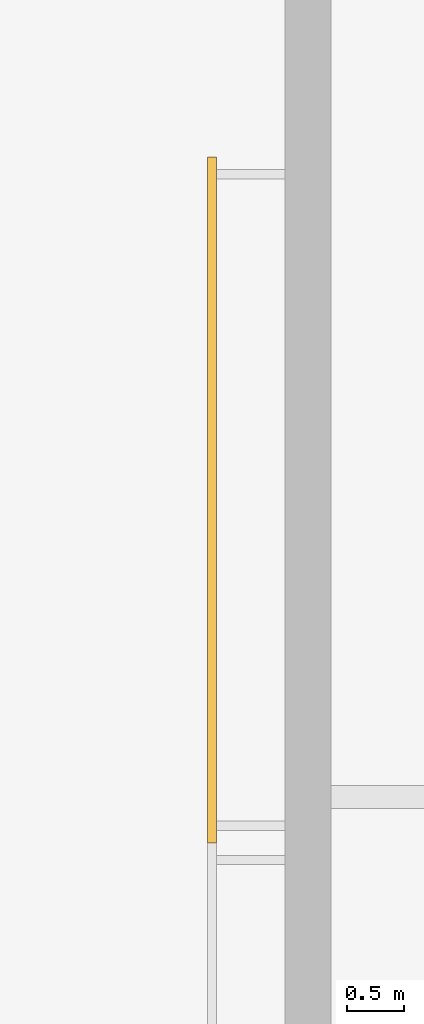
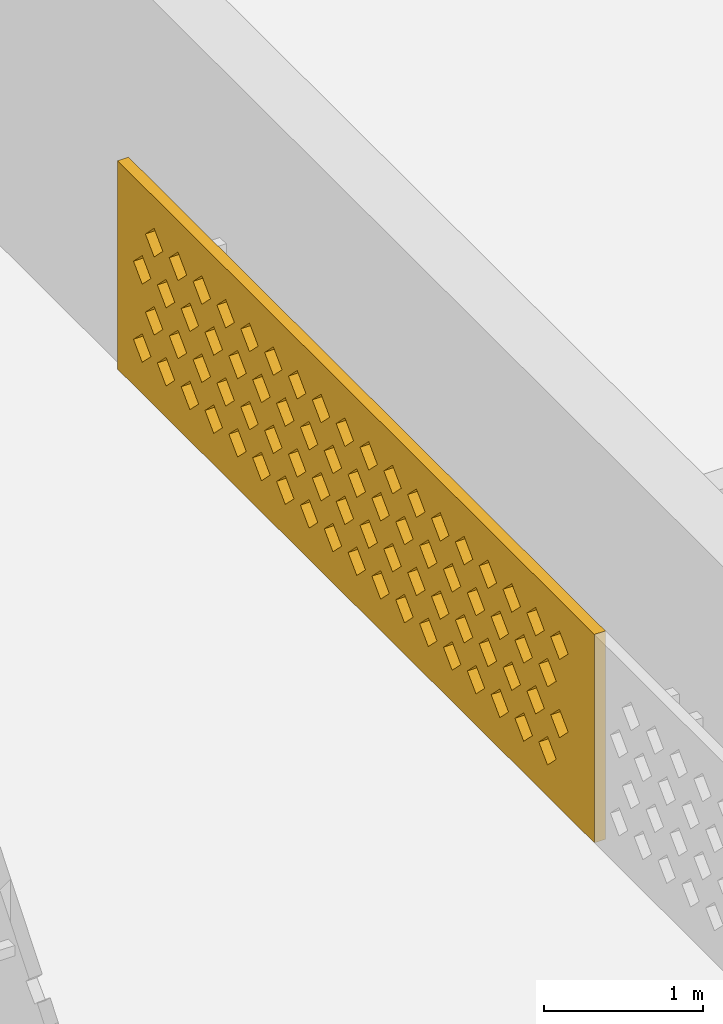
# One storey, part 16 of 18: 1 covering.
"""IFC4 building model written with IfcOpenShell, lengths in metres."""

import ifcopenshell
import ifcopenshell.guid

model = None  # the IFC model being written
_history = None  # IfcOwnerHistory: only IFC2X3 demands one
_inside = {}  # id of a spatial element -> (the spatial element, [elements in it])
_under = {}  # id of a project, library or spatial element -> (it, [spatial elements below it])
_declared = {}  # id of a project -> (the project, [libraries it declares])
_typed = {}  # id of a type object -> (the type object, [elements of that type])
_made_of = {}  # id of a material, layer set ... -> (it, [elements and type objects made of it])


def new_model(schema):
    """Start an empty IFC model of exactly this schema.

    Asked for "IFC4X3", IfcOpenShell would pick the latest addendum, in which some entities
    have other attributes; the version numbers below select the first issue.
    IFC2X3 requires an IfcOwnerHistory on every rooted entity: one is made here for all.
    """
    global model, _history
    if schema == "IFC4X3":
        model = ifcopenshell.file(schema_version=(4, 3, 0, 0))
    else:
        model = ifcopenshell.file(schema=schema)
    _inside.clear()
    _under.clear()
    _declared.clear()
    _typed.clear()
    _made_of.clear()
    _history = None
    if model.schema == "IFC2X3":
        org = make("IfcOrganization", Name="unknown")
        user = make(
            "IfcPersonAndOrganization",
            ThePerson=make("IfcPerson", FamilyName="unknown"),
            TheOrganization=org,
        )
        app = make(
            "IfcApplication",
            ApplicationDeveloper=org,
            Version="unknown",
            ApplicationFullName="unknown",
            ApplicationIdentifier="unknown",
        )
        _history = make(
            "IfcOwnerHistory",
            OwningUser=user,
            OwningApplication=app,
            ChangeAction="ADDED",
            CreationDate=0,
        )
    return model


def make(cls, **values):
    """One entity of the class cls with the attributes given. An attribute that is None is left unset."""
    return model.create_entity(
        cls, **{name: value for name, value in values.items() if value is not None}
    )


def rooted(cls, **values):
    """An entity with a GlobalId (a new one), such as an element, a storey or a relation."""
    return make(cls, GlobalId=ifcopenshell.guid.new(), OwnerHistory=_history, **values)


def si_unit(unit_type, name, prefix=None):
    """IfcSIUnit, for example si_unit("LENGTHUNIT", "METRE", prefix="MILLI")."""
    return make("IfcSIUnit", UnitType=unit_type, Prefix=prefix, Name=name)


def assignment(units):
    """IfcUnitAssignment: the units of a project."""
    return None if units is None else make("IfcUnitAssignment", Units=units)


def point(xyz):
    """IfcCartesianPoint."""
    return None if xyz is None else make("IfcCartesianPoint", Coordinates=xyz)


def direction(xyz):
    """IfcDirection."""
    return None if xyz is None else make("IfcDirection", DirectionRatios=xyz)


def frame(location, z_axis=None, x_axis=None):
    """IfcAxis2Placement3D, a coordinate frame: its origin and axes. An axis left out is left unset."""
    return make(
        "IfcAxis2Placement3D",
        Location=point(location),
        Axis=direction(z_axis),
        RefDirection=direction(x_axis),
    )


def origin():
    """The frame at (0, 0, 0) with its axes left unset."""
    return frame((0.0, 0.0, 0.0))


def place(relative_to, where):
    """IfcLocalPlacement: puts the frame where relative to a parent placement (None: the world)."""
    return make(
        "IfcLocalPlacement", PlacementRelTo=relative_to, RelativePlacement=where
    )


def context(
    kind, dimensions, precision=None, world=None, true_north=None, identifier=None
):
    """IfcGeometricRepresentationContext, for example the 3D "Model" context."""
    return make(
        "IfcGeometricRepresentationContext",
        ContextIdentifier=identifier,
        ContextType=kind,
        CoordinateSpaceDimension=dimensions,
        Precision=precision,
        WorldCoordinateSystem=world,
        TrueNorth=true_north,
    )


def subcontext(parent, identifier, kind, view, scale=None):
    """IfcGeometricRepresentationSubContext, for example "Body" below "Model"."""
    return make(
        "IfcGeometricRepresentationSubContext",
        ContextIdentifier=identifier,
        ContextType=kind,
        ParentContext=parent,
        TargetScale=scale,
        TargetView=view,
    )


def project(units=None, contexts=None):
    """IfcProject with its units and contexts."""
    return rooted(
        "IfcProject",
        Name="project",
        RepresentationContexts=contexts,
        UnitsInContext=assignment(units),
    )


def spatial(cls, under=None, at=None, **own):
    """A site, building, storey or space (cls), placed at a placement, below another one or the project."""
    s = rooted(cls, ObjectPlacement=at, **own)
    if under is not None:
        _under.setdefault(under.id(), (under, []))[1].append(s)
    return s


def polyline(points):
    """IfcPolyline through the points."""
    return make("IfcPolyline", Points=[point(p) for p in points])


def outline(outer, holes=None, kind="AREA"):
    """IfcArbitraryClosedProfileDef: a profile drawn as a closed curve; with holes, ...WithVoids."""
    if holes is None:
        return make("IfcArbitraryClosedProfileDef", ProfileType=kind, OuterCurve=outer)
    return make(
        "IfcArbitraryProfileDefWithVoids",
        ProfileType=kind,
        OuterCurve=outer,
        InnerCurves=holes,
    )


def extrude(swept, where, along, depth):
    """IfcExtrudedAreaSolid: the profile swept, set in the frame where, extruded along a direction by depth."""
    return make(
        "IfcExtrudedAreaSolid",
        SweptArea=swept,
        Position=where,
        ExtrudedDirection=direction(along),
        Depth=depth,
    )


def shape(context_of_items, identifier, shape_type, items):
    """IfcShapeRepresentation: the items that make up one representation, for example the "Body"."""
    return make(
        "IfcShapeRepresentation",
        ContextOfItems=context_of_items,
        RepresentationIdentifier=identifier,
        RepresentationType=shape_type,
        Items=items,
    )


def source(mapping_origin, context_of_items, identifier, shape_type, items):
    """IfcRepresentationMap: a shape defined once, which mapped items show again and again."""
    return make(
        "IfcRepresentationMap",
        MappingOrigin=mapping_origin,
        MappedRepresentation=shape(context_of_items, identifier, shape_type, items),
    )


def transform(
    local_origin,
    x_axis=None,
    y_axis=None,
    z_axis=None,
    scale=None,
    scale2=None,
    scale3=None,
    uniform=True,
):
    """IfcCartesianTransformationOperator3D, or its non-uniform kind. x_axis, y_axis, z_axis: its Axis1, 2, 3."""
    if uniform:
        return make(
            "IfcCartesianTransformationOperator3D",
            Axis1=direction(x_axis),
            Axis2=direction(y_axis),
            LocalOrigin=point(local_origin),
            Scale=scale,
            Axis3=direction(z_axis),
        )
    return make(
        "IfcCartesianTransformationOperator3DnonUniform",
        Axis1=direction(x_axis),
        Axis2=direction(y_axis),
        LocalOrigin=point(local_origin),
        Scale=scale,
        Axis3=direction(z_axis),
        Scale2=scale2,
        Scale3=scale3,
    )


def mapped(mapping_source, mapping_target):
    """IfcMappedItem: shows the shape of a source again, moved by a transform."""
    return make(
        "IfcMappedItem", MappingSource=mapping_source, MappingTarget=mapping_target
    )


def material(Name=None, Category=None):
    """IfcMaterial."""
    return make("IfcMaterial", Name=Name, Category=Category)


def material_profile(
    of_material, cross_section, Name=None, Category=None, Priority=None
):
    """IfcMaterialProfile: a cross section and its material."""
    return make(
        "IfcMaterialProfile",
        Name=Name,
        Material=of_material,
        Profile=cross_section,
        Priority=Priority,
        Category=Category,
    )


def profile_set(profiles, Name=None, composite=None):
    """IfcMaterialProfileSet."""
    return make(
        "IfcMaterialProfileSet",
        Name=Name,
        MaterialProfiles=profiles,
        CompositeProfile=composite,
    )


def made_of(thing, what):
    """Note that an element or type object is made of a material, layer set ...; save() writes the relation."""
    if what is not None:
        _made_of.setdefault(what.id(), (what, []))[1].append(thing)
    return thing


def type_object(cls, material=None, **own):
    """A type object (cls), such as IfcWallType, which elements share."""
    return made_of(rooted(cls, **own), material)


def element(
    cls,
    number,
    at=None,
    inside=None,
    cuts=None,
    type_object=None,
    material=None,
    context=None,
    identifier="Body",
    shape_type=None,
    held_by="IfcProductDefinitionShape",
    body=None,
    shapes=None,
    **own,
):
    """One element of the class cls, such as IfcWall. Its Tag is "e" and its number.

    at: its placement. inside: the storey or other place that contains it. cuts: it is an
    opening in that element (IfcRelVoidsElement). A single representation is given by context,
    identifier, shape_type and body (its items); several are given by shapes. held_by: the class
    of the entity that holds the representations. save() writes the other relations.
    """
    e = rooted(cls, Tag="e%d" % number, ObjectPlacement=at, **own)
    if body is not None:
        shapes = [shape(context, identifier, shape_type, body)]
    if shapes is not None:
        e.Representation = make(held_by, Representations=shapes)
    if inside is not None:
        _inside.setdefault(inside.id(), (inside, []))[1].append(e)
    if cuts is not None:
        rooted(
            "IfcRelVoidsElement", RelatingBuildingElement=cuts, RelatedOpeningElement=e
        )
    if type_object is not None:
        _typed.setdefault(type_object.id(), (type_object, []))[1].append(e)
    return made_of(e, material)


def aggregate(whole, parts):
    """IfcRelAggregates: a whole, such as a stair, and the parts it consists of."""
    return rooted("IfcRelAggregates", RelatingObject=whole, RelatedObjects=parts)


def save(model, path):
    """Write the relations noted so far, then the file.

    IfcRelAggregates (storeys below a building ...), IfcRelContainedInSpatialStructure (elements
    in a storey), IfcRelDefinesByType, IfcRelAssociatesMaterial and IfcRelDeclares: one each for
    every whole, place, type object, material and project.
    """
    for whole, parts in _under.values():
        aggregate(whole, parts)
    for where, things in _inside.values():
        rooted(
            "IfcRelContainedInSpatialStructure",
            RelatedElements=things,
            RelatingStructure=where,
        )
    for kind, things in _typed.values():
        rooted("IfcRelDefinesByType", RelatedObjects=things, RelatingType=kind)
    for what, things in _made_of.values():
        rooted("IfcRelAssociatesMaterial", RelatedObjects=things, RelatingMaterial=what)
    for by, libraries in _declared.values():
        rooted("IfcRelDeclares", RelatingContext=by, RelatedDefinitions=libraries)
    model.write(path)


model = new_model("IFC4")

# Units and contexts
model_context = context("Model", 3, precision=1e-05, world=origin(), true_north=direction((0.0, 1.0)))
body_context = subcontext(model_context, "Body", "Model", "MODEL_VIEW")
ifc_project = project(units=[si_unit("LENGTHUNIT", "METRE"), si_unit("AREAUNIT", "SQUARE_METRE"), si_unit("VOLUMEUNIT", "CUBIC_METRE"), si_unit("PLANEANGLEUNIT", "RADIAN"), si_unit("MASSUNIT", "GRAM", prefix="KILO")], contexts=[model_context])

# Site, building, storey
site_placement = place(None, origin())
site = spatial("IfcSite", under=ifc_project, at=site_placement, CompositionType="ELEMENT")
building_placement = place(site_placement, origin())
building = spatial("IfcBuilding", under=site, at=building_placement, Name="Poui Terraces", CompositionType="ELEMENT")
storey_placement = place(building_placement, frame((0.0, 0.0, 272.39990234375)))
storey = spatial("IfcBuildingStorey", under=building, at=storey_placement, Name="L75 CROWN", CompositionType="ELEMENT", Elevation=272.39990234375)

# Covering
ifc_material = material(Name="Terracotta screen", Category="masonry")
ifc_material_profile = material_profile(ifc_material, outline(polyline([(-3.0, -0.800048828125), (3.0, -0.800048828125), (3.0, 0.800048828125), (-3.0, 0.800048828125), (-3.0, -0.800048828125)]), holes=[polyline([(-2.800048828125, -0.449951171875), (-2.68994140625, -0.56005859375), (-2.580078125, -0.449951171875), (-2.68994140625, -0.340087890625), (-2.800048828125, -0.449951171875)]), polyline([(-2.5, -0.449951171875), (-2.389892578125, -0.56005859375), (-2.280029296875, -0.449951171875), (-2.389892578125, -0.340087890625), (-2.5, -0.449951171875)]), polyline([(-2.199951171875, -0.449951171875), (-2.090087890625, -0.56005859375), (-1.97998046875, -0.449951171875), (-2.090087890625, -0.340087890625), (-2.199951171875, -0.449951171875)]), polyline([(-1.89990234375, -0.449951171875), (-1.7900390625, -0.56005859375), (-1.679931640625, -0.449951171875), (-1.7900390625, -0.340087890625), (-1.89990234375, -0.449951171875)]), polyline([(-1.60009765625, -0.449951171875), (-1.489990234375, -0.56005859375), (-1.3798828125, -0.449951171875), (-1.489990234375, -0.340087890625), (-1.60009765625, -0.449951171875)]), polyline([(-1.300048828125, -0.449951171875), (-1.18994140625, -0.56005859375), (-1.080078125, -0.449951171875), (-1.18994140625, -0.340087890625), (-1.300048828125, -0.449951171875)]), polyline([(-1.0, -0.449951171875), (-0.889892578125, -0.56005859375), (-0.780029296875, -0.449951171875), (-0.889892578125, -0.340087890625), (-1.0, -0.449951171875)]), polyline([(-0.699951171875, -0.449951171875), (-0.590087890625, -0.56005859375), (-0.47998046875, -0.449951171875), (-0.590087890625, -0.340087890625), (-0.699951171875, -0.449951171875)]), polyline([(-0.39990234375, -0.449951171875), (-0.2900390625, -0.56005859375), (-0.179931640625, -0.449951171875), (-0.2900390625, -0.340087890625), (-0.39990234375, -0.449951171875)]), polyline([(-0.10009765625, -0.449951171875), (0.010009765625, -0.56005859375), (0.1201171875, -0.449951171875), (0.010009765625, -0.340087890625), (-0.10009765625, -0.449951171875)]), polyline([(0.199951171875, -0.449951171875), (0.31005859375, -0.56005859375), (0.419921875, -0.449951171875), (0.31005859375, -0.340087890625), (0.199951171875, -0.449951171875)]), polyline([(0.5, -0.449951171875), (0.610107421875, -0.56005859375), (0.719970703125, -0.449951171875), (0.610107421875, -0.340087890625), (0.5, -0.449951171875)]), polyline([(0.800048828125, -0.449951171875), (0.909912109375, -0.56005859375), (1.02001953125, -0.449951171875), (0.909912109375, -0.340087890625), (0.800048828125, -0.449951171875)]), polyline([(1.10009765625, -0.449951171875), (1.2099609375, -0.56005859375), (1.320068359375, -0.449951171875), (1.2099609375, -0.340087890625), (1.10009765625, -0.449951171875)]), polyline([(1.39990234375, -0.449951171875), (1.510009765625, -0.56005859375), (1.6201171875, -0.449951171875), (1.510009765625, -0.340087890625), (1.39990234375, -0.449951171875)]), polyline([(1.699951171875, -0.449951171875), (1.81005859375, -0.56005859375), (1.919921875, -0.449951171875), (1.81005859375, -0.340087890625), (1.699951171875, -0.449951171875)]), polyline([(2.0, -0.449951171875), (2.110107421875, -0.56005859375), (2.219970703125, -0.449951171875), (2.110107421875, -0.340087890625), (2.0, -0.449951171875)]), polyline([(2.300048828125, -0.449951171875), (2.409912109375, -0.56005859375), (2.52001953125, -0.449951171875), (2.409912109375, -0.340087890625), (2.300048828125, -0.449951171875)]), polyline([(-2.64990234375, -0.14990234375), (-2.5400390625, -0.260009765625), (-2.429931640625, -0.14990234375), (-2.5400390625, -0.0400390625), (-2.64990234375, -0.14990234375)]), polyline([(-2.35009765625, -0.14990234375), (-2.239990234375, -0.260009765625), (-2.1298828125, -0.14990234375), (-2.239990234375, -0.0400390625), (-2.35009765625, -0.14990234375)]), polyline([(-2.050048828125, -0.14990234375), (-1.93994140625, -0.260009765625), (-1.830078125, -0.14990234375), (-1.93994140625, -0.0400390625), (-2.050048828125, -0.14990234375)]), polyline([(-1.75, -0.14990234375), (-1.639892578125, -0.260009765625), (-1.530029296875, -0.14990234375), (-1.639892578125, -0.0400390625), (-1.75, -0.14990234375)]), polyline([(-1.449951171875, -0.14990234375), (-1.340087890625, -0.260009765625), (-1.22998046875, -0.14990234375), (-1.340087890625, -0.0400390625), (-1.449951171875, -0.14990234375)]), polyline([(-1.14990234375, -0.14990234375), (-1.0400390625, -0.260009765625), (-0.929931640625, -0.14990234375), (-1.0400390625, -0.0400390625), (-1.14990234375, -0.14990234375)]), polyline([(-0.85009765625, -0.14990234375), (-0.739990234375, -0.260009765625), (-0.6298828125, -0.14990234375), (-0.739990234375, -0.0400390625), (-0.85009765625, -0.14990234375)]), polyline([(-0.550048828125, -0.14990234375), (-0.43994140625, -0.260009765625), (-0.330078125, -0.14990234375), (-0.43994140625, -0.0400390625), (-0.550048828125, -0.14990234375)]), polyline([(-0.25, -0.14990234375), (-0.139892578125, -0.260009765625), (-0.030029296875, -0.14990234375), (-0.139892578125, -0.0400390625), (-0.25, -0.14990234375)]), polyline([(0.050048828125, -0.14990234375), (0.159912109375, -0.260009765625), (0.27001953125, -0.14990234375), (0.159912109375, -0.0400390625), (0.050048828125, -0.14990234375)]), polyline([(0.35009765625, -0.14990234375), (0.4599609375, -0.260009765625), (0.570068359375, -0.14990234375), (0.4599609375, -0.0400390625), (0.35009765625, -0.14990234375)]), polyline([(0.64990234375, -0.14990234375), (0.760009765625, -0.260009765625), (0.8701171875, -0.14990234375), (0.760009765625, -0.0400390625), (0.64990234375, -0.14990234375)]), polyline([(0.949951171875, -0.14990234375), (1.06005859375, -0.260009765625), (1.169921875, -0.14990234375), (1.06005859375, -0.0400390625), (0.949951171875, -0.14990234375)]), polyline([(1.25, -0.14990234375), (1.360107421875, -0.260009765625), (1.469970703125, -0.14990234375), (1.360107421875, -0.0400390625), (1.25, -0.14990234375)]), polyline([(1.550048828125, -0.14990234375), (1.659912109375, -0.260009765625), (1.77001953125, -0.14990234375), (1.659912109375, -0.0400390625), (1.550048828125, -0.14990234375)]), polyline([(1.85009765625, -0.14990234375), (1.9599609375, -0.260009765625), (2.070068359375, -0.14990234375), (1.9599609375, -0.0400390625), (1.85009765625, -0.14990234375)]), polyline([(2.14990234375, -0.14990234375), (2.260009765625, -0.260009765625), (2.3701171875, -0.14990234375), (2.260009765625, -0.0400390625), (2.14990234375, -0.14990234375)]), polyline([(2.449951171875, -0.14990234375), (2.56005859375, -0.260009765625), (2.669921875, -0.14990234375), (2.56005859375, -0.0400390625), (2.449951171875, -0.14990234375)]), polyline([(-2.800048828125, 0.14990234375), (-2.68994140625, 0.0400390625), (-2.580078125, 0.14990234375), (-2.68994140625, 0.260009765625), (-2.800048828125, 0.14990234375)]), polyline([(-2.5, 0.14990234375), (-2.389892578125, 0.0400390625), (-2.280029296875, 0.14990234375), (-2.389892578125, 0.260009765625), (-2.5, 0.14990234375)]), polyline([(-2.199951171875, 0.14990234375), (-2.090087890625, 0.0400390625), (-1.97998046875, 0.14990234375), (-2.090087890625, 0.260009765625), (-2.199951171875, 0.14990234375)]), polyline([(-1.89990234375, 0.14990234375), (-1.7900390625, 0.0400390625), (-1.679931640625, 0.14990234375), (-1.7900390625, 0.260009765625), (-1.89990234375, 0.14990234375)]), polyline([(-1.60009765625, 0.14990234375), (-1.489990234375, 0.0400390625), (-1.3798828125, 0.14990234375), (-1.489990234375, 0.260009765625), (-1.60009765625, 0.14990234375)]), polyline([(-1.300048828125, 0.14990234375), (-1.18994140625, 0.0400390625), (-1.080078125, 0.14990234375), (-1.18994140625, 0.260009765625), (-1.300048828125, 0.14990234375)]), polyline([(-1.0, 0.14990234375), (-0.889892578125, 0.0400390625), (-0.780029296875, 0.14990234375), (-0.889892578125, 0.260009765625), (-1.0, 0.14990234375)]), polyline([(-0.699951171875, 0.14990234375), (-0.590087890625, 0.0400390625), (-0.47998046875, 0.14990234375), (-0.590087890625, 0.260009765625), (-0.699951171875, 0.14990234375)]), polyline([(-0.39990234375, 0.14990234375), (-0.2900390625, 0.0400390625), (-0.179931640625, 0.14990234375), (-0.2900390625, 0.260009765625), (-0.39990234375, 0.14990234375)]), polyline([(-0.10009765625, 0.14990234375), (0.010009765625, 0.0400390625), (0.1201171875, 0.14990234375), (0.010009765625, 0.260009765625), (-0.10009765625, 0.14990234375)]), polyline([(0.199951171875, 0.14990234375), (0.31005859375, 0.0400390625), (0.419921875, 0.14990234375), (0.31005859375, 0.260009765625), (0.199951171875, 0.14990234375)]), polyline([(0.5, 0.14990234375), (0.610107421875, 0.0400390625), (0.719970703125, 0.14990234375), (0.610107421875, 0.260009765625), (0.5, 0.14990234375)]), polyline([(0.800048828125, 0.14990234375), (0.909912109375, 0.0400390625), (1.02001953125, 0.14990234375), (0.909912109375, 0.260009765625), (0.800048828125, 0.14990234375)]), polyline([(1.10009765625, 0.14990234375), (1.2099609375, 0.0400390625), (1.320068359375, 0.14990234375), (1.2099609375, 0.260009765625), (1.10009765625, 0.14990234375)]), polyline([(1.39990234375, 0.14990234375), (1.510009765625, 0.0400390625), (1.6201171875, 0.14990234375), (1.510009765625, 0.260009765625), (1.39990234375, 0.14990234375)]), polyline([(1.699951171875, 0.14990234375), (1.81005859375, 0.0400390625), (1.919921875, 0.14990234375), (1.81005859375, 0.260009765625), (1.699951171875, 0.14990234375)]), polyline([(2.0, 0.14990234375), (2.110107421875, 0.0400390625), (2.219970703125, 0.14990234375), (2.110107421875, 0.260009765625), (2.0, 0.14990234375)]), polyline([(2.300048828125, 0.14990234375), (2.409912109375, 0.0400390625), (2.52001953125, 0.14990234375), (2.409912109375, 0.260009765625), (2.300048828125, 0.14990234375)]), polyline([(-2.64990234375, 0.449951171875), (-2.5400390625, 0.340087890625), (-2.429931640625, 0.449951171875), (-2.5400390625, 0.56005859375), (-2.64990234375, 0.449951171875)]), polyline([(-2.35009765625, 0.449951171875), (-2.239990234375, 0.340087890625), (-2.1298828125, 0.449951171875), (-2.239990234375, 0.56005859375), (-2.35009765625, 0.449951171875)]), polyline([(-2.050048828125, 0.449951171875), (-1.93994140625, 0.340087890625), (-1.830078125, 0.449951171875), (-1.93994140625, 0.56005859375), (-2.050048828125, 0.449951171875)]), polyline([(-1.75, 0.449951171875), (-1.639892578125, 0.340087890625), (-1.530029296875, 0.449951171875), (-1.639892578125, 0.56005859375), (-1.75, 0.449951171875)]), polyline([(-1.449951171875, 0.449951171875), (-1.340087890625, 0.340087890625), (-1.22998046875, 0.449951171875), (-1.340087890625, 0.56005859375), (-1.449951171875, 0.449951171875)]), polyline([(-1.14990234375, 0.449951171875), (-1.0400390625, 0.340087890625), (-0.929931640625, 0.449951171875), (-1.0400390625, 0.56005859375), (-1.14990234375, 0.449951171875)]), polyline([(-0.85009765625, 0.449951171875), (-0.739990234375, 0.340087890625), (-0.6298828125, 0.449951171875), (-0.739990234375, 0.56005859375), (-0.85009765625, 0.449951171875)]), polyline([(-0.550048828125, 0.449951171875), (-0.43994140625, 0.340087890625), (-0.330078125, 0.449951171875), (-0.43994140625, 0.56005859375), (-0.550048828125, 0.449951171875)]), polyline([(-0.25, 0.449951171875), (-0.139892578125, 0.340087890625), (-0.030029296875, 0.449951171875), (-0.139892578125, 0.56005859375), (-0.25, 0.449951171875)]), polyline([(0.050048828125, 0.449951171875), (0.159912109375, 0.340087890625), (0.27001953125, 0.449951171875), (0.159912109375, 0.56005859375), (0.050048828125, 0.449951171875)]), polyline([(0.35009765625, 0.449951171875), (0.4599609375, 0.340087890625), (0.570068359375, 0.449951171875), (0.4599609375, 0.56005859375), (0.35009765625, 0.449951171875)]), polyline([(0.64990234375, 0.449951171875), (0.760009765625, 0.340087890625), (0.8701171875, 0.449951171875), (0.760009765625, 0.56005859375), (0.64990234375, 0.449951171875)]), polyline([(0.949951171875, 0.449951171875), (1.06005859375, 0.340087890625), (1.169921875, 0.449951171875), (1.06005859375, 0.56005859375), (0.949951171875, 0.449951171875)]), polyline([(1.25, 0.449951171875), (1.360107421875, 0.340087890625), (1.469970703125, 0.449951171875), (1.360107421875, 0.56005859375), (1.25, 0.449951171875)]), polyline([(1.550048828125, 0.449951171875), (1.659912109375, 0.340087890625), (1.77001953125, 0.449951171875), (1.659912109375, 0.56005859375), (1.550048828125, 0.449951171875)]), polyline([(1.85009765625, 0.449951171875), (1.9599609375, 0.340087890625), (2.070068359375, 0.449951171875), (1.9599609375, 0.56005859375), (1.85009765625, 0.449951171875)]), polyline([(2.14990234375, 0.449951171875), (2.260009765625, 0.340087890625), (2.3701171875, 0.449951171875), (2.260009765625, 0.56005859375), (2.14990234375, 0.449951171875)]), polyline([(2.449951171875, 0.449951171875), (2.56005859375, 0.340087890625), (2.669921875, 0.449951171875), (2.56005859375, 0.56005859375), (2.449951171875, 0.449951171875)])]), Name="TERRACOTTA SOLAR SCREEN 6000X1600")
ifc_profile_set = profile_set([ifc_material_profile], Name="Terracotta screen")
covering_type = type_object("IfcCoveringType", Name="TERRACOTTA SOLAR SCREEN 6000X1600", PredefinedType="CLADDING", material=ifc_profile_set)
shared_shape = source(origin(), body_context, "Body", "SweptSolid", [
    extrude(outline(polyline([(-3.0, -0.800048828125), (3.0, -0.800048828125), (3.0, 0.800048828125), (-3.0, 0.800048828125), (-3.0, -0.800048828125)]), holes=[polyline([(-2.800048828125, -0.449951171875), (-2.68994140625, -0.56005859375), (-2.580078125, -0.449951171875), (-2.68994140625, -0.340087890625), (-2.800048828125, -0.449951171875)]), polyline([(-2.5, -0.449951171875), (-2.389892578125, -0.56005859375), (-2.280029296875, -0.449951171875), (-2.389892578125, -0.340087890625), (-2.5, -0.449951171875)]), polyline([(-2.199951171875, -0.449951171875), (-2.090087890625, -0.56005859375), (-1.97998046875, -0.449951171875), (-2.090087890625, -0.340087890625), (-2.199951171875, -0.449951171875)]), polyline([(-1.89990234375, -0.449951171875), (-1.7900390625, -0.56005859375), (-1.679931640625, -0.449951171875), (-1.7900390625, -0.340087890625), (-1.89990234375, -0.449951171875)]), polyline([(-1.60009765625, -0.449951171875), (-1.489990234375, -0.56005859375), (-1.3798828125, -0.449951171875), (-1.489990234375, -0.340087890625), (-1.60009765625, -0.449951171875)]), polyline([(-1.300048828125, -0.449951171875), (-1.18994140625, -0.56005859375), (-1.080078125, -0.449951171875), (-1.18994140625, -0.340087890625), (-1.300048828125, -0.449951171875)]), polyline([(-1.0, -0.449951171875), (-0.889892578125, -0.56005859375), (-0.780029296875, -0.449951171875), (-0.889892578125, -0.340087890625), (-1.0, -0.449951171875)]), polyline([(-0.699951171875, -0.449951171875), (-0.590087890625, -0.56005859375), (-0.47998046875, -0.449951171875), (-0.590087890625, -0.340087890625), (-0.699951171875, -0.449951171875)]), polyline([(-0.39990234375, -0.449951171875), (-0.2900390625, -0.56005859375), (-0.179931640625, -0.449951171875), (-0.2900390625, -0.340087890625), (-0.39990234375, -0.449951171875)]), polyline([(-0.10009765625, -0.449951171875), (0.010009765625, -0.56005859375), (0.1201171875, -0.449951171875), (0.010009765625, -0.340087890625), (-0.10009765625, -0.449951171875)]), polyline([(0.199951171875, -0.449951171875), (0.31005859375, -0.56005859375), (0.419921875, -0.449951171875), (0.31005859375, -0.340087890625), (0.199951171875, -0.449951171875)]), polyline([(0.5, -0.449951171875), (0.610107421875, -0.56005859375), (0.719970703125, -0.449951171875), (0.610107421875, -0.340087890625), (0.5, -0.449951171875)]), polyline([(0.800048828125, -0.449951171875), (0.909912109375, -0.56005859375), (1.02001953125, -0.449951171875), (0.909912109375, -0.340087890625), (0.800048828125, -0.449951171875)]), polyline([(1.10009765625, -0.449951171875), (1.2099609375, -0.56005859375), (1.320068359375, -0.449951171875), (1.2099609375, -0.340087890625), (1.10009765625, -0.449951171875)]), polyline([(1.39990234375, -0.449951171875), (1.510009765625, -0.56005859375), (1.6201171875, -0.449951171875), (1.510009765625, -0.340087890625), (1.39990234375, -0.449951171875)]), polyline([(1.699951171875, -0.449951171875), (1.81005859375, -0.56005859375), (1.919921875, -0.449951171875), (1.81005859375, -0.340087890625), (1.699951171875, -0.449951171875)]), polyline([(2.0, -0.449951171875), (2.110107421875, -0.56005859375), (2.219970703125, -0.449951171875), (2.110107421875, -0.340087890625), (2.0, -0.449951171875)]), polyline([(2.300048828125, -0.449951171875), (2.409912109375, -0.56005859375), (2.52001953125, -0.449951171875), (2.409912109375, -0.340087890625), (2.300048828125, -0.449951171875)]), polyline([(-2.64990234375, -0.14990234375), (-2.5400390625, -0.260009765625), (-2.429931640625, -0.14990234375), (-2.5400390625, -0.0400390625), (-2.64990234375, -0.14990234375)]), polyline([(-2.35009765625, -0.14990234375), (-2.239990234375, -0.260009765625), (-2.1298828125, -0.14990234375), (-2.239990234375, -0.0400390625), (-2.35009765625, -0.14990234375)]), polyline([(-2.050048828125, -0.14990234375), (-1.93994140625, -0.260009765625), (-1.830078125, -0.14990234375), (-1.93994140625, -0.0400390625), (-2.050048828125, -0.14990234375)]), polyline([(-1.75, -0.14990234375), (-1.639892578125, -0.260009765625), (-1.530029296875, -0.14990234375), (-1.639892578125, -0.0400390625), (-1.75, -0.14990234375)]), polyline([(-1.449951171875, -0.14990234375), (-1.340087890625, -0.260009765625), (-1.22998046875, -0.14990234375), (-1.340087890625, -0.0400390625), (-1.449951171875, -0.14990234375)]), polyline([(-1.14990234375, -0.14990234375), (-1.0400390625, -0.260009765625), (-0.929931640625, -0.14990234375), (-1.0400390625, -0.0400390625), (-1.14990234375, -0.14990234375)]), polyline([(-0.85009765625, -0.14990234375), (-0.739990234375, -0.260009765625), (-0.6298828125, -0.14990234375), (-0.739990234375, -0.0400390625), (-0.85009765625, -0.14990234375)]), polyline([(-0.550048828125, -0.14990234375), (-0.43994140625, -0.260009765625), (-0.330078125, -0.14990234375), (-0.43994140625, -0.0400390625), (-0.550048828125, -0.14990234375)]), polyline([(-0.25, -0.14990234375), (-0.139892578125, -0.260009765625), (-0.030029296875, -0.14990234375), (-0.139892578125, -0.0400390625), (-0.25, -0.14990234375)]), polyline([(0.050048828125, -0.14990234375), (0.159912109375, -0.260009765625), (0.27001953125, -0.14990234375), (0.159912109375, -0.0400390625), (0.050048828125, -0.14990234375)]), polyline([(0.35009765625, -0.14990234375), (0.4599609375, -0.260009765625), (0.570068359375, -0.14990234375), (0.4599609375, -0.0400390625), (0.35009765625, -0.14990234375)]), polyline([(0.64990234375, -0.14990234375), (0.760009765625, -0.260009765625), (0.8701171875, -0.14990234375), (0.760009765625, -0.0400390625), (0.64990234375, -0.14990234375)]), polyline([(0.949951171875, -0.14990234375), (1.06005859375, -0.260009765625), (1.169921875, -0.14990234375), (1.06005859375, -0.0400390625), (0.949951171875, -0.14990234375)]), polyline([(1.25, -0.14990234375), (1.360107421875, -0.260009765625), (1.469970703125, -0.14990234375), (1.360107421875, -0.0400390625), (1.25, -0.14990234375)]), polyline([(1.550048828125, -0.14990234375), (1.659912109375, -0.260009765625), (1.77001953125, -0.14990234375), (1.659912109375, -0.0400390625), (1.550048828125, -0.14990234375)]), polyline([(1.85009765625, -0.14990234375), (1.9599609375, -0.260009765625), (2.070068359375, -0.14990234375), (1.9599609375, -0.0400390625), (1.85009765625, -0.14990234375)]), polyline([(2.14990234375, -0.14990234375), (2.260009765625, -0.260009765625), (2.3701171875, -0.14990234375), (2.260009765625, -0.0400390625), (2.14990234375, -0.14990234375)]), polyline([(2.449951171875, -0.14990234375), (2.56005859375, -0.260009765625), (2.669921875, -0.14990234375), (2.56005859375, -0.0400390625), (2.449951171875, -0.14990234375)]), polyline([(-2.800048828125, 0.14990234375), (-2.68994140625, 0.0400390625), (-2.580078125, 0.14990234375), (-2.68994140625, 0.260009765625), (-2.800048828125, 0.14990234375)]), polyline([(-2.5, 0.14990234375), (-2.389892578125, 0.0400390625), (-2.280029296875, 0.14990234375), (-2.389892578125, 0.260009765625), (-2.5, 0.14990234375)]), polyline([(-2.199951171875, 0.14990234375), (-2.090087890625, 0.0400390625), (-1.97998046875, 0.14990234375), (-2.090087890625, 0.260009765625), (-2.199951171875, 0.14990234375)]), polyline([(-1.89990234375, 0.14990234375), (-1.7900390625, 0.0400390625), (-1.679931640625, 0.14990234375), (-1.7900390625, 0.260009765625), (-1.89990234375, 0.14990234375)]), polyline([(-1.60009765625, 0.14990234375), (-1.489990234375, 0.0400390625), (-1.3798828125, 0.14990234375), (-1.489990234375, 0.260009765625), (-1.60009765625, 0.14990234375)]), polyline([(-1.300048828125, 0.14990234375), (-1.18994140625, 0.0400390625), (-1.080078125, 0.14990234375), (-1.18994140625, 0.260009765625), (-1.300048828125, 0.14990234375)]), polyline([(-1.0, 0.14990234375), (-0.889892578125, 0.0400390625), (-0.780029296875, 0.14990234375), (-0.889892578125, 0.260009765625), (-1.0, 0.14990234375)]), polyline([(-0.699951171875, 0.14990234375), (-0.590087890625, 0.0400390625), (-0.47998046875, 0.14990234375), (-0.590087890625, 0.260009765625), (-0.699951171875, 0.14990234375)]), polyline([(-0.39990234375, 0.14990234375), (-0.2900390625, 0.0400390625), (-0.179931640625, 0.14990234375), (-0.2900390625, 0.260009765625), (-0.39990234375, 0.14990234375)]), polyline([(-0.10009765625, 0.14990234375), (0.010009765625, 0.0400390625), (0.1201171875, 0.14990234375), (0.010009765625, 0.260009765625), (-0.10009765625, 0.14990234375)]), polyline([(0.199951171875, 0.14990234375), (0.31005859375, 0.0400390625), (0.419921875, 0.14990234375), (0.31005859375, 0.260009765625), (0.199951171875, 0.14990234375)]), polyline([(0.5, 0.14990234375), (0.610107421875, 0.0400390625), (0.719970703125, 0.14990234375), (0.610107421875, 0.260009765625), (0.5, 0.14990234375)]), polyline([(0.800048828125, 0.14990234375), (0.909912109375, 0.0400390625), (1.02001953125, 0.14990234375), (0.909912109375, 0.260009765625), (0.800048828125, 0.14990234375)]), polyline([(1.10009765625, 0.14990234375), (1.2099609375, 0.0400390625), (1.320068359375, 0.14990234375), (1.2099609375, 0.260009765625), (1.10009765625, 0.14990234375)]), polyline([(1.39990234375, 0.14990234375), (1.510009765625, 0.0400390625), (1.6201171875, 0.14990234375), (1.510009765625, 0.260009765625), (1.39990234375, 0.14990234375)]), polyline([(1.699951171875, 0.14990234375), (1.81005859375, 0.0400390625), (1.919921875, 0.14990234375), (1.81005859375, 0.260009765625), (1.699951171875, 0.14990234375)]), polyline([(2.0, 0.14990234375), (2.110107421875, 0.0400390625), (2.219970703125, 0.14990234375), (2.110107421875, 0.260009765625), (2.0, 0.14990234375)]), polyline([(2.300048828125, 0.14990234375), (2.409912109375, 0.0400390625), (2.52001953125, 0.14990234375), (2.409912109375, 0.260009765625), (2.300048828125, 0.14990234375)]), polyline([(-2.64990234375, 0.449951171875), (-2.5400390625, 0.340087890625), (-2.429931640625, 0.449951171875), (-2.5400390625, 0.56005859375), (-2.64990234375, 0.449951171875)]), polyline([(-2.35009765625, 0.449951171875), (-2.239990234375, 0.340087890625), (-2.1298828125, 0.449951171875), (-2.239990234375, 0.56005859375), (-2.35009765625, 0.449951171875)]), polyline([(-2.050048828125, 0.449951171875), (-1.93994140625, 0.340087890625), (-1.830078125, 0.449951171875), (-1.93994140625, 0.56005859375), (-2.050048828125, 0.449951171875)]), polyline([(-1.75, 0.449951171875), (-1.639892578125, 0.340087890625), (-1.530029296875, 0.449951171875), (-1.639892578125, 0.56005859375), (-1.75, 0.449951171875)]), polyline([(-1.449951171875, 0.449951171875), (-1.340087890625, 0.340087890625), (-1.22998046875, 0.449951171875), (-1.340087890625, 0.56005859375), (-1.449951171875, 0.449951171875)]), polyline([(-1.14990234375, 0.449951171875), (-1.0400390625, 0.340087890625), (-0.929931640625, 0.449951171875), (-1.0400390625, 0.56005859375), (-1.14990234375, 0.449951171875)]), polyline([(-0.85009765625, 0.449951171875), (-0.739990234375, 0.340087890625), (-0.6298828125, 0.449951171875), (-0.739990234375, 0.56005859375), (-0.85009765625, 0.449951171875)]), polyline([(-0.550048828125, 0.449951171875), (-0.43994140625, 0.340087890625), (-0.330078125, 0.449951171875), (-0.43994140625, 0.56005859375), (-0.550048828125, 0.449951171875)]), polyline([(-0.25, 0.449951171875), (-0.139892578125, 0.340087890625), (-0.030029296875, 0.449951171875), (-0.139892578125, 0.56005859375), (-0.25, 0.449951171875)]), polyline([(0.050048828125, 0.449951171875), (0.159912109375, 0.340087890625), (0.27001953125, 0.449951171875), (0.159912109375, 0.56005859375), (0.050048828125, 0.449951171875)]), polyline([(0.35009765625, 0.449951171875), (0.4599609375, 0.340087890625), (0.570068359375, 0.449951171875), (0.4599609375, 0.56005859375), (0.35009765625, 0.449951171875)]), polyline([(0.64990234375, 0.449951171875), (0.760009765625, 0.340087890625), (0.8701171875, 0.449951171875), (0.760009765625, 0.56005859375), (0.64990234375, 0.449951171875)]), polyline([(0.949951171875, 0.449951171875), (1.06005859375, 0.340087890625), (1.169921875, 0.449951171875), (1.06005859375, 0.56005859375), (0.949951171875, 0.449951171875)]), polyline([(1.25, 0.449951171875), (1.360107421875, 0.340087890625), (1.469970703125, 0.449951171875), (1.360107421875, 0.56005859375), (1.25, 0.449951171875)]), polyline([(1.550048828125, 0.449951171875), (1.659912109375, 0.340087890625), (1.77001953125, 0.449951171875), (1.659912109375, 0.56005859375), (1.550048828125, 0.449951171875)]), polyline([(1.85009765625, 0.449951171875), (1.9599609375, 0.340087890625), (2.070068359375, 0.449951171875), (1.9599609375, 0.56005859375), (1.85009765625, 0.449951171875)]), polyline([(2.14990234375, 0.449951171875), (2.260009765625, 0.340087890625), (2.3701171875, 0.449951171875), (2.260009765625, 0.56005859375), (2.14990234375, 0.449951171875)]), polyline([(2.449951171875, 0.449951171875), (2.56005859375, 0.340087890625), (2.669921875, 0.449951171875), (2.56005859375, 0.56005859375), (2.449951171875, 0.449951171875)])]), origin(), (0.0, 0.0, 1.0), 0.079833984375),
])
covering_placement = place(storey_placement, frame((53.199951171875, 33.0, 1.7001953125), z_axis=(-1.0, 0.0, 0.0), x_axis=(0.0, -1.0, 0.0)))
element("IfcCovering", 1, at=covering_placement, inside=storey, type_object=covering_type, Name="SOLAR SCREEN", PredefinedType="CLADDING", context=body_context, shape_type="MappedRepresentation", body=[
    mapped(shared_shape, transform((0.0, 0.0, 0.0))),
])

save(model, "model.ifc")
